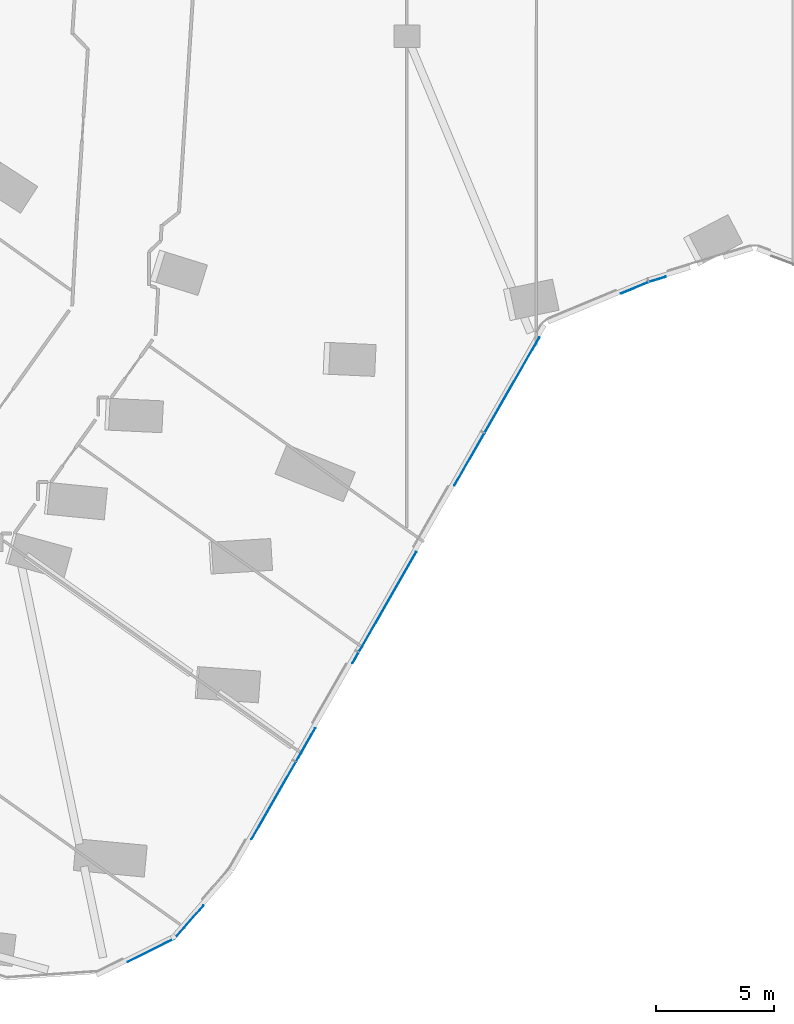
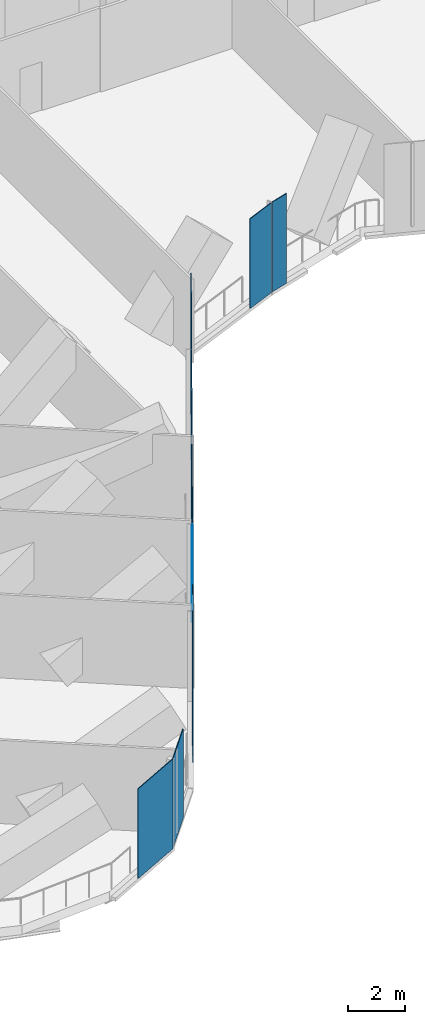
# One storey, part 18 of 34: 10 plates, 5 elements without a shape of their own.
"""IFC4 building model written with IfcOpenShell, lengths in metres."""

from ifc_helpers import new_model, si_unit, direction, frame, origin, origin_2d, place, context, subcontext, project, spatial, rectangle, extrude, material, layer, layer_set, type_object, element, aggregate, save


model = new_model("IFC4")

# Units and contexts
model_context = context("Model", 3, precision=1e-05, world=origin(), true_north=direction((0.0, 1.0)))
body_context = subcontext(model_context, "Body", "Model", "MODEL_VIEW")
ifc_project = project(units=[si_unit("LENGTHUNIT", "METRE"), si_unit("AREAUNIT", "SQUARE_METRE"), si_unit("VOLUMEUNIT", "CUBIC_METRE"), si_unit("PLANEANGLEUNIT", "RADIAN"), si_unit("MASSUNIT", "GRAM", prefix="KILO")], contexts=[model_context])

# Site, building, storey
site_placement = place(None, origin())
site = spatial("IfcSite", under=ifc_project, at=site_placement, CompositionType="ELEMENT")
building_placement = place(site_placement, origin())
building = spatial("IfcBuilding", under=site, at=building_placement, Name="Orlundy Tower", CompositionType="ELEMENT")
storey_placement = place(building_placement, frame((0.0, 0.0, 98.199951171875)))
storey = spatial("IfcBuildingStorey", under=building, at=storey_placement, Name="L24", CompositionType="ELEMENT", Elevation=98.199951171875)

# Curtain wall, plates
ifc_material_1 = material(Name="Aluminium bronze anodised", Category="aluminium")
curtain_wall_type = type_object("IfcCurtainWallType", Name="CW5 wall", PredefinedType="NOTDEFINED", material=ifc_material_1)
curtain_wall_1_placement = place(storey_placement, origin())
curtain_wall_1 = element("IfcCurtainWall", 1, at=curtain_wall_1_placement, inside=storey, type_object=curtain_wall_type, Name="CW5 run 00", PredefinedType="NOTDEFINED")
ifc_material_2 = material(Name="Tinted glass", Category="glass")
ifc_layer_1 = layer(ifc_material_2, 0.031982421875)
ifc_layer_set_1 = layer_set([ifc_layer_1], Name="CW5 glass panel 32")
plate_type_1 = type_object("IfcPlateType", Name="CW5 glass panel 32", PredefinedType="CURTAIN_PANEL", material=ifc_layer_set_1)
plate_1_placement = place(storey_placement, frame((2.648681640625, -35.9541015625, -0.259765625), z_axis=(0.0, 0.0, 1.0), x_axis=(-0.497473280125, -0.867479299789, 0.0)))
plate_1 = element("IfcPlate", 2, at=plate_1_placement, type_object=plate_type_1, Name="CW5 panel", PredefinedType="CURTAIN_PANEL", context=body_context, shape_type="SweptSolid", body=[
    extrude(rectangle(XDim=2.5478515625, YDim=0.031982421875, at=origin_2d()), origin(), (0.0, 0.0, 1.0), 3.860107421875),
])
plate_2_placement = place(storey_placement, frame((-0.812744140625, -41.989990234375, -0.259765625), z_axis=(0.0, 0.0, 1.0), x_axis=(-0.497473280125, -0.867479299789, 0.0)))
plate_2 = element("IfcPlate", 3, at=plate_2_placement, type_object=plate_type_1, Name="CW5 panel", PredefinedType="CURTAIN_PANEL", context=body_context, shape_type="SweptSolid", body=[
    extrude(rectangle(XDim=4.86279296875, YDim=0.031982421875, at=origin_2d()), origin(), (0.0, 0.0, 1.0), 3.860107421875),
])
plate_3_placement = place(storey_placement, frame((-5.6474609375, -50.42041015625, -0.259765625), z_axis=(0.0, 0.0, 1.0), x_axis=(-0.497473280125, -0.867479299789, 0.0)))
plate_3 = element("IfcPlate", 4, at=plate_3_placement, type_object=plate_type_1, Name="CW5 panel", PredefinedType="CURTAIN_PANEL", context=body_context, shape_type="SweptSolid", body=[
    extrude(rectangle(XDim=3.76025390625, YDim=0.031982421875, at=origin_2d()), origin(), (0.0, 0.0, 1.0), 3.860107421875),
])

# Curtain wall, plate
curtain_wall_2_placement = place(storey_placement, origin())
curtain_wall_2 = element("IfcCurtainWall", 5, at=curtain_wall_2_placement, inside=storey, type_object=curtain_wall_type, Name="CW5 run 01", PredefinedType="NOTDEFINED")
plate_4_placement = place(storey_placement, frame((-9.229248046875, -55.558837890625, -0.259765625), z_axis=(0.0, 0.0, 1.0), x_axis=(-0.657166641446, -0.753745318639, 0.0)))
plate_4 = element("IfcPlate", 6, at=plate_4_placement, type_object=plate_type_1, Name="CW5 panel", PredefinedType="CURTAIN_PANEL", context=body_context, shape_type="SweptSolid", body=[
    extrude(rectangle(XDim=1.875, YDim=0.031982421875, at=origin_2d()), origin(), (0.0, 0.0, 1.0), 3.860107421875),
])
aggregate(curtain_wall_2, [plate_4])

curtain_wall_3_placement = place(storey_placement, origin())
curtain_wall_3 = element("IfcCurtainWall", 7, at=curtain_wall_3_placement, inside=storey, type_object=curtain_wall_type, Name="CW5 run 042", PredefinedType="NOTDEFINED")
plate_5_placement = place(storey_placement, frame((10.62744140625, -28.314208984375, -0.259765625), z_axis=(0.0, 0.0, 1.0), x_axis=(-0.956309139759, -0.292357365588, 0.0)))
plate_5 = element("IfcPlate", 8, at=plate_5_placement, type_object=plate_type_1, Name="CW5 panel", PredefinedType="CURTAIN_PANEL", context=body_context, shape_type="SweptSolid", body=[
    extrude(rectangle(XDim=0.729736328125, YDim=0.031982421875, at=origin_2d()), origin(), (0.0, 0.0, 1.0), 3.860107421875),
])
aggregate(curtain_wall_3, [plate_5])

# Plate
ifc_material_3 = material(Name="Tinted glass", Category="glass")
ifc_layer_2 = layer(ifc_material_3, 0.031982421875)
ifc_layer_set_2 = layer_set([ifc_layer_2], Name="CW5 vent panel 32")
plate_type_2 = type_object("IfcPlateType", Name="CW5 vent panel 32", PredefinedType="CURTAIN_PANEL", material=ifc_layer_set_2)
plate_6_placement = place(storey_placement, frame((4.463623046875, -32.789306640625, -0.259765625), z_axis=(0.0, 0.0, 1.0), x_axis=(-0.497473280125, -0.867479299789, 0.0)))
plate_6 = element("IfcPlate", 9, at=plate_6_placement, type_object=plate_type_2, Name="CW5 panel", PredefinedType="CURTAIN_PANEL", context=body_context, shape_type="SweptSolid", body=[
    extrude(rectangle(XDim=4.648681640625, YDim=0.031982421875, at=origin_2d()), origin(), (0.0, 0.0, 1.0), 3.860107421875),
])

plate_7_placement = place(storey_placement, frame((-2.175537109375, -44.3662109375, -0.259765625), z_axis=(0.0, 0.0, 1.0), x_axis=(-0.497473280125, -0.867479299789, 0.0)))
plate_7 = element("IfcPlate", 10, at=plate_7_placement, type_object=plate_type_2, Name="CW5 panel", PredefinedType="CURTAIN_PANEL", context=body_context, shape_type="SweptSolid", body=[
    extrude(rectangle(XDim=0.515380859375, YDim=0.031982421875, at=origin_2d()), origin(), (0.0, 0.0, 1.0), 3.860107421875),
])

plate_8_placement = place(storey_placement, frame((-4.285888671875, -48.046142578125, -0.259765625), z_axis=(0.0, 0.0, 1.0), x_axis=(-0.497473280125, -0.867479299789, 0.0)))
plate_8 = element("IfcPlate", 11, at=plate_8_placement, type_object=plate_type_2, Name="CW5 panel", PredefinedType="CURTAIN_PANEL", context=body_context, shape_type="SweptSolid", body=[
    extrude(rectangle(XDim=1.613525390625, YDim=0.031982421875, at=origin_2d()), origin(), (0.0, 0.0, 1.0), 3.860107421875),
])

aggregate(curtain_wall_1, [plate_6, plate_1, plate_2, plate_7, plate_8, plate_3])

# Curtain wall, plate
curtain_wall_4_placement = place(storey_placement, origin())
curtain_wall_4 = element("IfcCurtainWall", 12, at=curtain_wall_4_placement, inside=storey, type_object=curtain_wall_type, Name="CW5 run 02", PredefinedType="NOTDEFINED")
plate_9_placement = place(storey_placement, frame((-10.837890625, -56.758544921875, -0.259765625), z_axis=(0.0, 0.0, 1.0), x_axis=(-0.895610995013, -0.444838111689, 0.0)))
plate_9 = element("IfcPlate", 13, at=plate_9_placement, type_object=plate_type_2, Name="CW5 panel", PredefinedType="CURTAIN_PANEL", context=body_context, shape_type="SweptSolid", body=[
    extrude(rectangle(XDim=2.21630859375, YDim=0.031982421875, at=origin_2d()), origin(), (0.0, 0.0, 1.0), 3.860107421875),
])
aggregate(curtain_wall_4, [plate_9])

curtain_wall_5_placement = place(storey_placement, origin())
curtain_wall_5 = element("IfcCurtainWall", 14, at=curtain_wall_5_placement, inside=storey, type_object=curtain_wall_type, Name="CW5 run 043", PredefinedType="NOTDEFINED")
plate_10_placement = place(storey_placement, frame((9.658447265625, -28.67724609375, -0.259765625), z_axis=(0.0, 0.0, 1.0), x_axis=(-0.922778272287, -0.385331364147, 0.0)))
plate_10 = element("IfcPlate", 15, at=plate_10_placement, type_object=plate_type_2, Name="CW5 panel", PredefinedType="CURTAIN_PANEL", context=body_context, shape_type="SweptSolid", body=[
    extrude(rectangle(XDim=1.24169921875, YDim=0.031982421875, at=origin_2d()), origin(), (0.0, 0.0, 1.0), 3.860107421875),
])
aggregate(curtain_wall_5, [plate_10])

save(model, "model.ifc")
